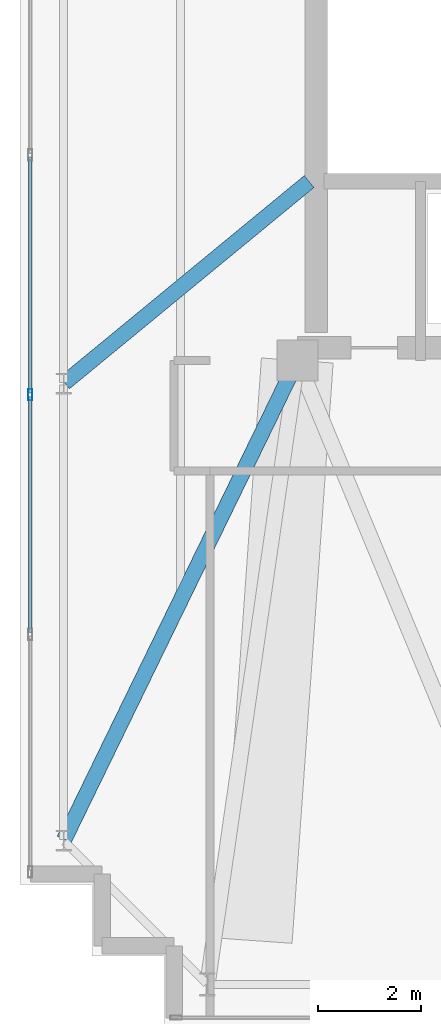
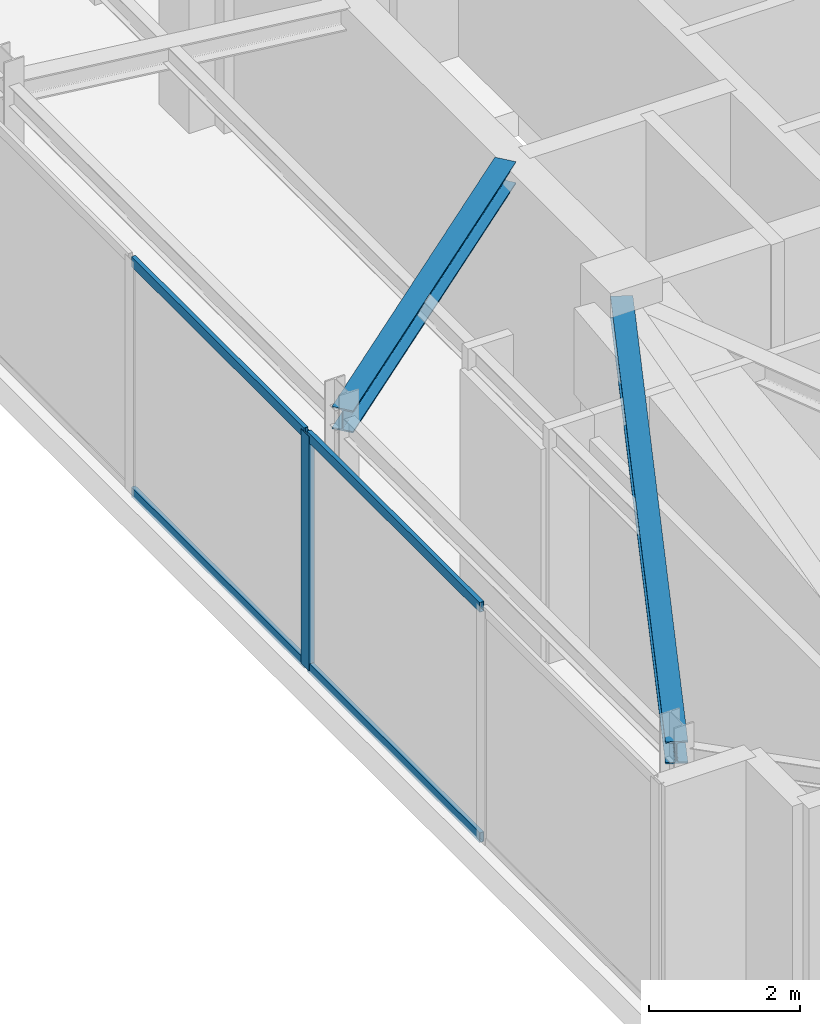
# One storey, part 6 of 27: 5 members, 2 beams, 1 element without a shape of its own.
"""IFC4 building model written with IfcOpenShell, lengths in metres."""

from ifc_helpers import new_model, si_unit, direction, frame, origin, origin_2d, place, context, subcontext, project, spatial, hollow_rectangle, i_section, extrude, material, layer, layer_set, material_profile, profile_set, type_object, element, aggregate, save


model = new_model("IFC4")

# Units and contexts
model_context = context("Model", 3, precision=1e-05, world=origin(), true_north=direction((0.0, 1.0)))
body_context = subcontext(model_context, "Body", "Model", "MODEL_VIEW")
ifc_project = project(units=[si_unit("LENGTHUNIT", "METRE"), si_unit("AREAUNIT", "SQUARE_METRE"), si_unit("VOLUMEUNIT", "CUBIC_METRE"), si_unit("PLANEANGLEUNIT", "RADIAN"), si_unit("MASSUNIT", "GRAM", prefix="KILO")], contexts=[model_context])

# Site, building, storey
site_placement = place(None, origin())
site = spatial("IfcSite", under=ifc_project, at=site_placement, CompositionType="ELEMENT")
building_placement = place(site_placement, origin())
building = spatial("IfcBuilding", under=site, at=building_placement, Name="Qobustan Lattice House", CompositionType="ELEMENT")
storey_placement = place(building_placement, frame((0.0, 0.0, 266.0)))
storey = spatial("IfcBuildingStorey", under=building, at=storey_placement, Name="L75", CompositionType="ELEMENT", Elevation=266.0)

# Beams
ifc_material_1 = material(Name="Steel S355", Category="steel")
ifc_material_profile_1 = material_profile(ifc_material_1, i_section(OverallWidth=0.300048828125, OverallDepth=0.360107421875, WebThickness=0.012451171875, FlangeThickness=0.0224609375, FilletRadius=0.027099609375, at=origin_2d()), Name="HEB360")
ifc_profile_set_1 = profile_set([ifc_material_profile_1], Name="Steel S355")
beam_type = type_object("IfcBeamType", Name="BM-FLG-HEB360", PredefinedType="USERDEFINED", material=ifc_profile_set_1)
beam_1_placement = place(storey_placement, frame((-23.330810546875, -6.0341796875, 3.6201171875), z_axis=(0.772169041192, 0.635417163621, 0.0), x_axis=(-0.635417163621, 0.772169041192, 0.0)))
element("IfcBeam", 1, at=beam_1_placement, inside=storey, type_object=beam_type, Name="L75 primary floor girder RAD-W3", ObjectType="GIRDER", PredefinedType="USERDEFINED", context=body_context, shape_type="SweptSolid", body=[
    extrude(i_section(OverallWidth=0.300048828125, OverallDepth=0.360107421875, WebThickness=0.012451171875, FlangeThickness=0.0224609375, FilletRadius=0.027099609375, at=origin_2d()), origin(), (0.0, 0.0, 1.0), 6.166259765625),
])
beam_2_placement = place(storey_placement, frame((-23.339111328125, -14.927490234375, 3.6201171875), z_axis=(0.437590490598, 0.899174378271, 0.0), x_axis=(-0.899174378271, 0.437590490598, 0.0)))
element("IfcBeam", 2, at=beam_2_placement, inside=storey, type_object=beam_type, Name="L75 primary floor girder RAD-W4", ObjectType="GIRDER", PredefinedType="USERDEFINED", context=body_context, shape_type="SweptSolid", body=[
    extrude(i_section(OverallWidth=0.300048828125, OverallDepth=0.360107421875, WebThickness=0.012451171875, FlangeThickness=0.0224609375, FilletRadius=0.027099609375, at=origin_2d()), origin(), (0.0, 0.0, 1.0), 10.348388671875),
])

# Curtain wall, members
ifc_material_2 = material(Name="Anodised aluminium and low-E glazing", Category="aluminium")
ifc_layer = layer(ifc_material_2, 0.219970703125)
ifc_layer_set = layer_set([ifc_layer], Name="Anodised aluminium and low-E glazing")
curtain_wall_type = type_object("IfcCurtainWallType", Name="CW-OBS-01", PredefinedType="USERDEFINED", material=ifc_layer_set)
curtain_wall_placement = place(storey_placement, origin())
curtain_wall = element("IfcCurtainWall", 3, at=curtain_wall_placement, inside=storey, type_object=curtain_wall_type, Name="L75 W panoramic observation curtain wall", ObjectType="CURTAIN WALL", PredefinedType="USERDEFINED")
ifc_material_3 = material(Name="Anodised aluminium EN AW-6063 T6", Category="aluminium")
ifc_material_profile_2 = material_profile(ifc_material_3, hollow_rectangle(XDim=0.080078125, YDim=0.219970703125, WallThickness=0.0048828125, at=origin_2d()), Name="CWM-220x80")
ifc_profile_set_2 = profile_set([ifc_material_profile_2], Name="Anodised aluminium EN AW-6063 T6")
member_type_1 = type_object("IfcMemberType", Name="CWM-MAIN-220", PredefinedType="MULLION", material=ifc_profile_set_2)
member_1_placement = place(storey_placement, frame((-24.0, -6.2666015625, 0.0), z_axis=(0.0, 0.0, 1.0), x_axis=(-1.0, 0.0, 0.0)))
member_1 = element("IfcMember", 4, at=member_1_placement, type_object=member_type_1, Name="CW-OB mullion 3", PredefinedType="MULLION", context=body_context, shape_type="SweptSolid", body=[
    extrude(hollow_rectangle(XDim=0.080078125, YDim=0.219970703125, WallThickness=0.0048828125, at=origin_2d()), origin(), (0.0, 0.0, 1.0), 3.800048828125),
])
ifc_material_4 = material(Name="Anodised aluminium EN AW-6063 T6", Category="aluminium")
ifc_material_profile_3 = material_profile(ifc_material_4, hollow_rectangle(XDim=0.06494140625, YDim=0.159912109375, WallThickness=0.00390625, at=origin_2d()), Name="CWT-160x65")
ifc_profile_set_3 = profile_set([ifc_material_profile_3], Name="Anodised aluminium EN AW-6063 T6")
member_type_2 = type_object("IfcMemberType", Name="CWT-HOR-160", PredefinedType="USERDEFINED", material=ifc_profile_set_3)
member_2_placement = place(storey_placement, frame((-24.0, -10.893310546875, 0.032470703125), z_axis=(0.0, 1.0, 0.0), x_axis=(-1.0, 0.0, 0.0)))
member_2 = element("IfcMember", 5, at=member_2_placement, type_object=member_type_2, Name="CW-OB transom 2.1", ObjectType="TRANSOM", PredefinedType="USERDEFINED", context=body_context, shape_type="SweptSolid", body=[
    extrude(hollow_rectangle(XDim=0.06494140625, YDim=0.159912109375, WallThickness=0.00390625, at=origin_2d()), origin(), (0.0, 0.0, 1.0), 4.586669921875),
])
member_3_placement = place(storey_placement, frame((-24.0, -10.893310546875, 3.767578125), z_axis=(0.0, 1.0, 0.0), x_axis=(-1.0, 0.0, 0.0)))
member_3 = element("IfcMember", 6, at=member_3_placement, type_object=member_type_2, Name="CW-OB transom 2.2", ObjectType="TRANSOM", PredefinedType="USERDEFINED", context=body_context, shape_type="SweptSolid", body=[
    extrude(hollow_rectangle(XDim=0.06494140625, YDim=0.159912109375, WallThickness=0.00390625, at=origin_2d()), origin(), (0.0, 0.0, 1.0), 4.586669921875),
])
member_4_placement = place(storey_placement, frame((-24.0, -6.2265625, 0.032470703125), z_axis=(0.0, 1.0, 0.0), x_axis=(-1.0, 0.0, 0.0)))
member_4 = element("IfcMember", 7, at=member_4_placement, type_object=member_type_2, Name="CW-OB transom 3.1", ObjectType="TRANSOM", PredefinedType="USERDEFINED", context=body_context, shape_type="SweptSolid", body=[
    extrude(hollow_rectangle(XDim=0.06494140625, YDim=0.159912109375, WallThickness=0.00390625, at=origin_2d()), origin(), (0.0, 0.0, 1.0), 4.586669921875),
])
member_5_placement = place(storey_placement, frame((-24.0, -6.2265625, 3.767578125), z_axis=(0.0, 1.0, 0.0), x_axis=(-1.0, 0.0, 0.0)))
member_5 = element("IfcMember", 8, at=member_5_placement, type_object=member_type_2, Name="CW-OB transom 3.2", ObjectType="TRANSOM", PredefinedType="USERDEFINED", context=body_context, shape_type="SweptSolid", body=[
    extrude(hollow_rectangle(XDim=0.06494140625, YDim=0.159912109375, WallThickness=0.00390625, at=origin_2d()), origin(), (0.0, 0.0, 1.0), 4.586669921875),
])
aggregate(curtain_wall, [member_1, member_2, member_3, member_4, member_5])

save(model, "model.ifc")
